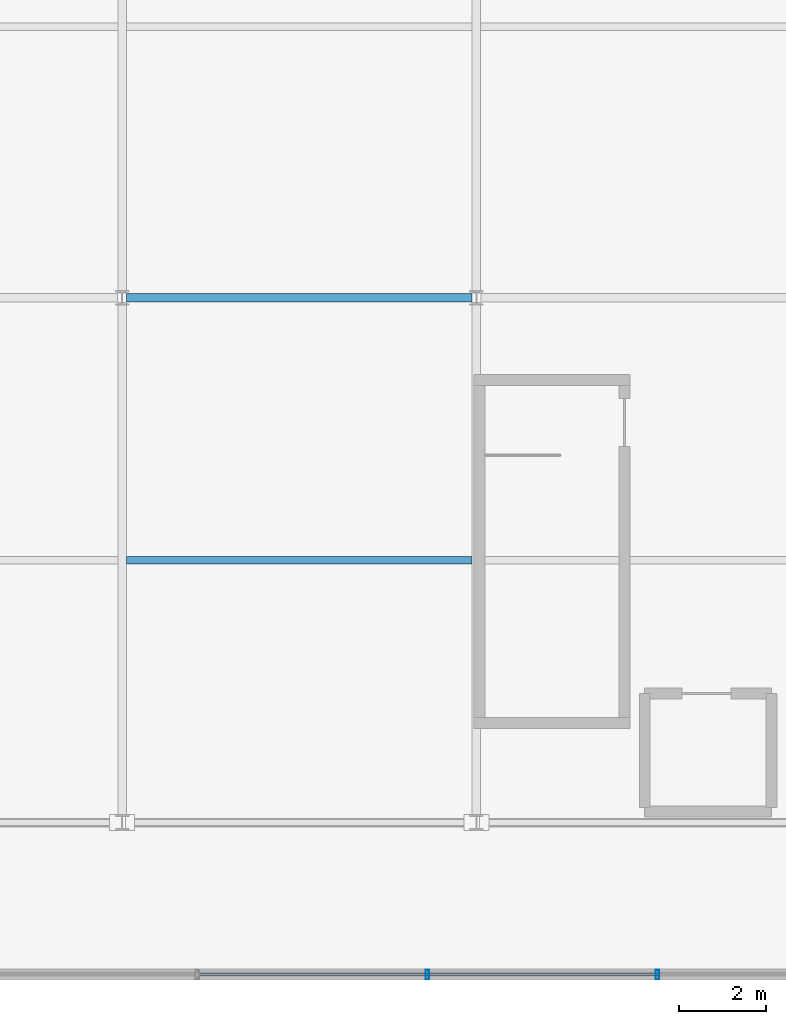
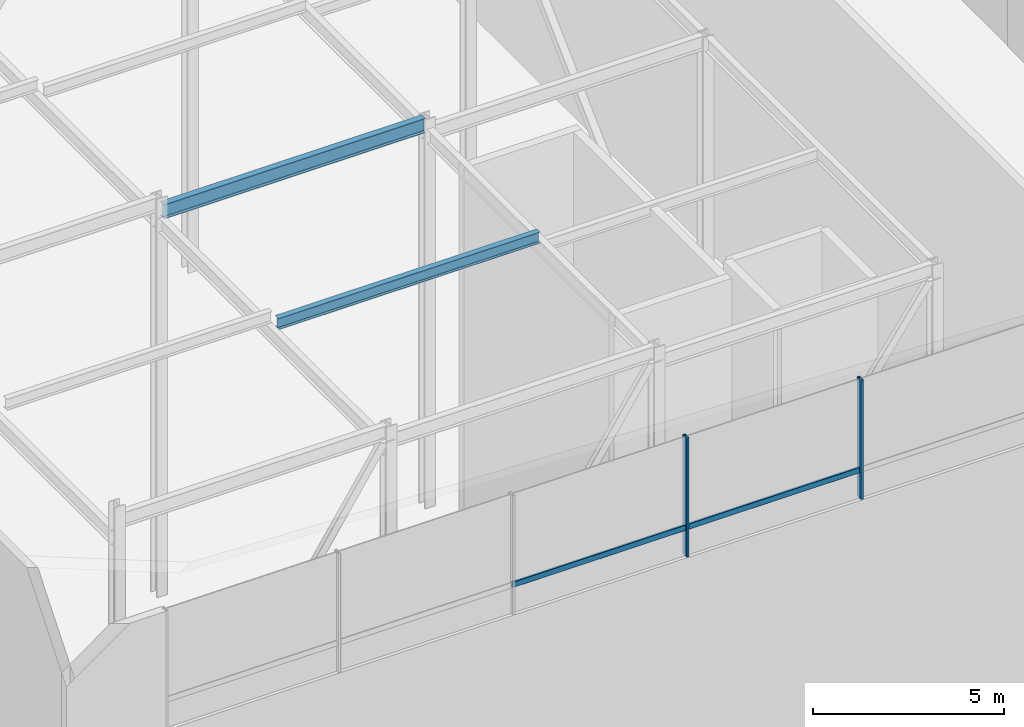
# One storey, part 8 of 39: 4 members, 2 beams, 1 element without a shape of its own.
"""IFC4 building model written with IfcOpenShell, lengths in metres."""

from ifc_helpers import new_model, si_unit, direction, frame, origin, origin_2d, place, context, subcontext, project, spatial, hollow_rectangle, i_section, extrude, material, layer, layer_set, material_profile, profile_set, type_object, element, aggregate, save


model = new_model("IFC4")

# Units and contexts
model_context = context("Model", 3, precision=1e-05, world=origin(), true_north=direction((0.0, 1.0)))
body_context = subcontext(model_context, "Body", "Model", "MODEL_VIEW")
ifc_project = project(units=[si_unit("LENGTHUNIT", "METRE"), si_unit("AREAUNIT", "SQUARE_METRE"), si_unit("VOLUMEUNIT", "CUBIC_METRE"), si_unit("PLANEANGLEUNIT", "RADIAN"), si_unit("MASSUNIT", "GRAM", prefix="KILO")], contexts=[model_context])

# Site, building, storey
site_placement = place(None, origin())
site = spatial("IfcSite", under=ifc_project, at=site_placement, CompositionType="ELEMENT")
building_placement = place(site_placement, origin())
building = spatial("IfcBuilding", under=site, at=building_placement, Name="Korimba Cascade Residences", CompositionType="ELEMENT")
storey_placement = place(building_placement, frame((0.0, 0.0, 264.199951171875)))
storey = spatial("IfcBuildingStorey", under=building, at=storey_placement, Name="RF", CompositionType="ELEMENT", Elevation=264.199951171875)

# Beams
ifc_material_1 = material(Name="Steel S355", Category="steel")
ifc_material_profile_1 = material_profile(ifc_material_1, i_section(OverallWidth=0.172119140625, OverallDepth=0.35791015625, WebThickness=0.008056640625, FlangeThickness=0.012939453125, FilletRadius=0.01025390625, at=origin_2d()), Name="Steel S355")
ifc_profile_set_1 = profile_set([ifc_material_profile_1], Name="Steel S355")
beam_type_1 = type_object("IfcBeamType", Name="BM-STL-UB356", PredefinedType="JOIST", material=ifc_profile_set_1)
beam_1_placement = place(storey_placement, frame((68.10009765625, 61.199951171875, 12.231689453125), z_axis=(1.0, 0.0, 0.0), x_axis=(0.0, 1.0, 0.0)))
element("IfcBeam", 1, at=beam_1_placement, inside=storey, type_object=beam_type_1, Name="RF Crown Cap Joist W1.2", PredefinedType="JOIST", context=body_context, shape_type="SweptSolid", body=[
    extrude(i_section(OverallWidth=0.172119140625, OverallDepth=0.35791015625, WebThickness=0.008056640625, FlangeThickness=0.012939453125, FilletRadius=0.01025390625, at=origin_2d()), origin(), (0.0, 0.0, 1.0), 7.89990234375),
])
ifc_material_profile_2 = material_profile(ifc_material_1, i_section(OverallWidth=0.19140625, OverallDepth=0.4599609375, WebThickness=0.010009765625, FlangeThickness=0.01611328125, FilletRadius=0.01025390625, at=origin_2d()), Name="Steel S355")
ifc_profile_set_2 = profile_set([ifc_material_profile_2], Name="Steel S355")
beam_type_2 = type_object("IfcBeamType", Name="BM-STL-UB457", PredefinedType="JOIST", material=ifc_profile_set_2)
beam_2_placement = place(storey_placement, frame((68.10498046875, 67.199951171875, 12.1806640625), z_axis=(1.0, 0.0, 0.0), x_axis=(0.0, 1.0, 0.0)))
element("IfcBeam", 2, at=beam_2_placement, inside=storey, type_object=beam_type_2, Name="RF Crown Cap Ring Beam W2.2", PredefinedType="JOIST", context=body_context, shape_type="SweptSolid", body=[
    extrude(i_section(OverallWidth=0.19140625, OverallDepth=0.4599609375, WebThickness=0.010009765625, FlangeThickness=0.01611328125, FilletRadius=0.01025390625, at=origin_2d()), origin(), (0.0, 0.0, 1.0), 7.89013671875),
])

# Curtain wall, members
ifc_material_2 = material(Name="Anodised Aluminium Curtain Wall Framing", Category="aluminium")
ifc_layer = layer(ifc_material_2, 0.179931640625)
ifc_layer_set = layer_set([ifc_layer], Name="Anodised Aluminium Curtain Wall Framing")
curtain_wall_type = type_object("IfcCurtainWallType", Name="CW-CRNW-SYS5", PredefinedType="NOTDEFINED", material=ifc_layer_set)
curtain_wall_placement = place(storey_placement, origin())
curtain_wall = element("IfcCurtainWall", 3, at=curtain_wall_placement, inside=storey, type_object=curtain_wall_type, Name="RF Curtain Wall CW-RF-CRN-W-3", PredefinedType="NOTDEFINED")
ifc_material_3 = material(Name="Anodised Aluminium Mullion", Category="aluminium")
ifc_material_profile_3 = material_profile(ifc_material_3, hollow_rectangle(XDim=0.080078125, YDim=0.219970703125, WallThickness=0.00634765625, InnerFilletRadius=0.00634765625, OuterFilletRadius=0.0126953125, at=origin_2d()), Name="Anodised Aluminium Mullion")
ifc_profile_set_3 = profile_set([ifc_material_profile_3], Name="Anodised Aluminium Mullion")
member_type_1 = type_object("IfcMemberType", Name="CWM-MUL-220", PredefinedType="MULLION", material=ifc_profile_set_3)
member_1_placement = place(storey_placement, frame((74.97998046875, 51.72509765625, 8.150146484375), z_axis=(0.0, 0.0, 1.0), x_axis=(1.0, 0.0, 0.0)))
member_1 = element("IfcMember", 4, at=member_1_placement, type_object=member_type_1, Name="CW-RF-CRN-W-3 Mullion 4", PredefinedType="MULLION", context=body_context, shape_type="SweptSolid", body=[
    extrude(hollow_rectangle(XDim=0.080078125, YDim=0.219970703125, WallThickness=0.00634765625, InnerFilletRadius=0.00634765625, OuterFilletRadius=0.0126953125, at=origin_2d()), origin(), (0.0, 0.0, 1.0), 3.7998046875),
])
member_2_placement = place(storey_placement, frame((80.239990234375, 51.72509765625, 8.150146484375), z_axis=(0.0, 0.0, 1.0), x_axis=(1.0, 0.0, 0.0)))
member_2 = element("IfcMember", 5, at=member_2_placement, type_object=member_type_1, Name="CW-RF-CRN-W-3 Mullion 5", PredefinedType="MULLION", context=body_context, shape_type="SweptSolid", body=[
    extrude(hollow_rectangle(XDim=0.080078125, YDim=0.219970703125, WallThickness=0.00634765625, InnerFilletRadius=0.00634765625, OuterFilletRadius=0.0126953125, at=origin_2d()), origin(), (0.0, 0.0, 1.0), 3.7998046875),
])
ifc_material_4 = material(Name="Anodised Aluminium Transom", Category="aluminium")
ifc_material_profile_4 = material_profile(ifc_material_4, hollow_rectangle(XDim=0.070068359375, YDim=0.179931640625, WallThickness=0.0048828125, InnerFilletRadius=0.0048828125, OuterFilletRadius=0.010009765625, at=origin_2d()), Name="Anodised Aluminium Transom")
ifc_profile_set_4 = profile_set([ifc_material_profile_4], Name="Anodised Aluminium Transom")
member_type_2 = type_object("IfcMemberType", Name="CWM-TRN-150", PredefinedType="USERDEFINED", material=ifc_profile_set_4)
member_3_placement = place(storey_placement, frame((69.719970703125, 51.72509765625, 9.050048828125), z_axis=(1.0, 0.0, 0.0), x_axis=(0.0, 1.0, 0.0)))
member_3 = element("IfcMember", 6, at=member_3_placement, type_object=member_type_2, Name="CW-RF-CRN-W-3 Transom 3", ObjectType="TRANSOM", PredefinedType="USERDEFINED", context=body_context, shape_type="SweptSolid", body=[
    extrude(hollow_rectangle(XDim=0.070068359375, YDim=0.179931640625, WallThickness=0.0048828125, InnerFilletRadius=0.0048828125, OuterFilletRadius=0.010009765625, at=origin_2d()), origin(), (0.0, 0.0, 1.0), 5.260009765625),
])
member_4_placement = place(storey_placement, frame((74.97998046875, 51.72509765625, 9.050048828125), z_axis=(1.0, 0.0, 0.0), x_axis=(0.0, 1.0, 0.0)))
member_4 = element("IfcMember", 7, at=member_4_placement, type_object=member_type_2, Name="CW-RF-CRN-W-3 Transom 4", ObjectType="TRANSOM", PredefinedType="USERDEFINED", context=body_context, shape_type="SweptSolid", body=[
    extrude(hollow_rectangle(XDim=0.070068359375, YDim=0.179931640625, WallThickness=0.0048828125, InnerFilletRadius=0.0048828125, OuterFilletRadius=0.010009765625, at=origin_2d()), origin(), (0.0, 0.0, 1.0), 5.260009765625),
])
aggregate(curtain_wall, [member_1, member_2, member_3, member_4])

save(model, "model.ifc")
